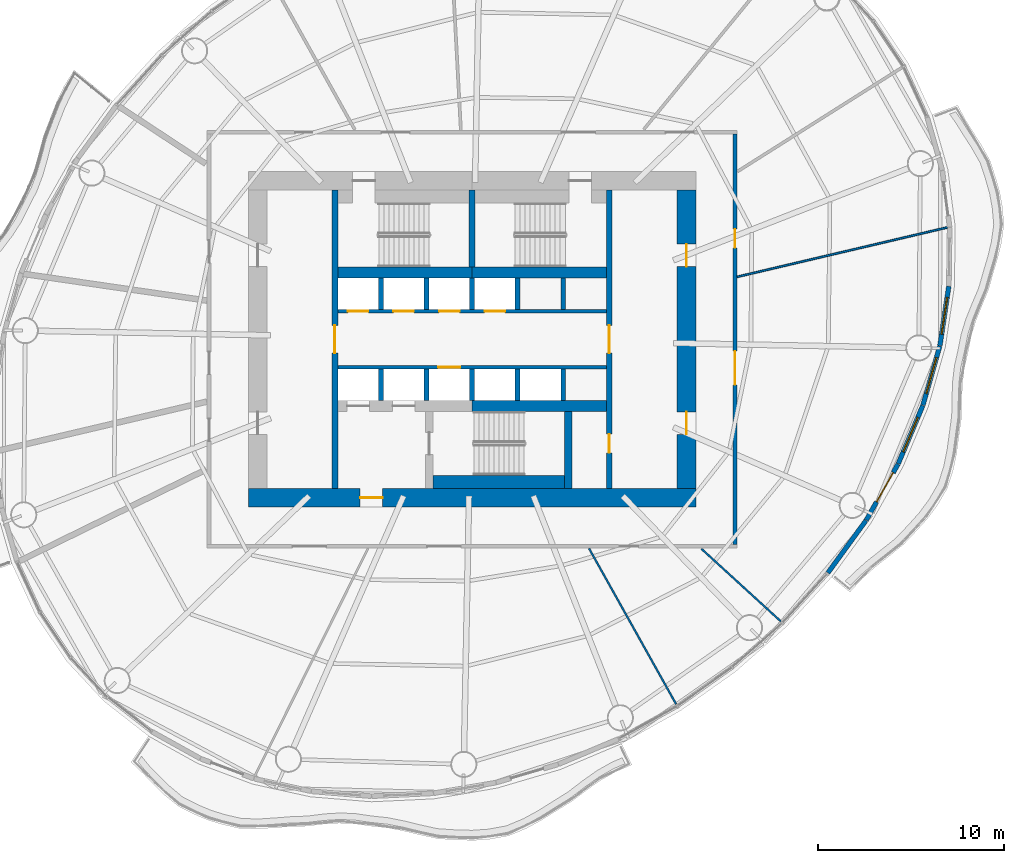
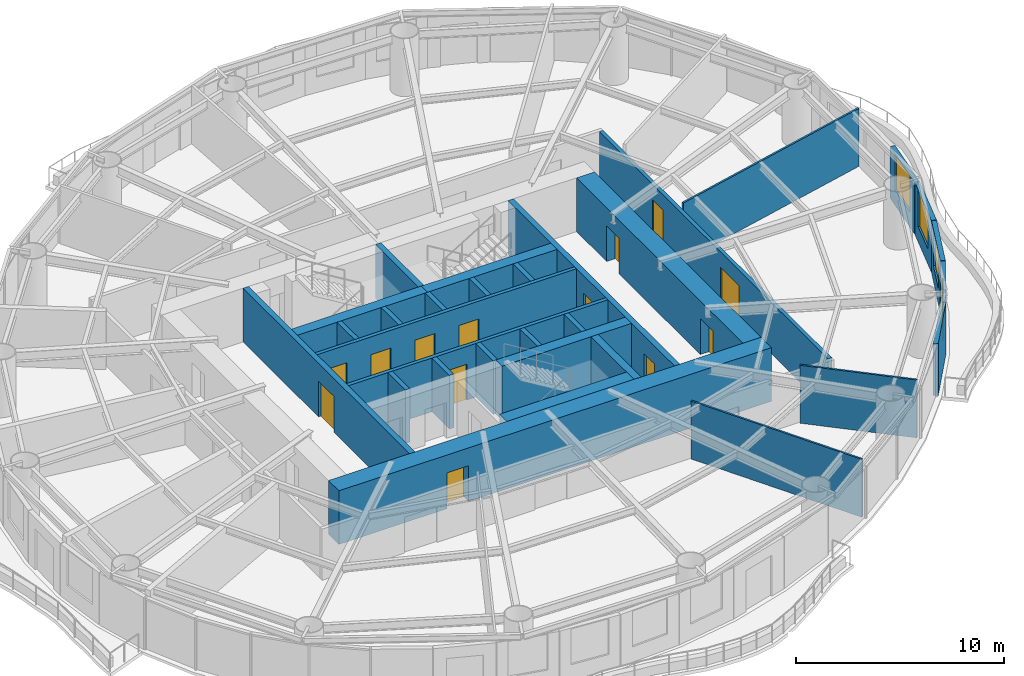
# One storey, part 9 of 14: 31 walls, 14 doors, 3 windows, 17 openings.
"""IFC4 building model written with IfcOpenShell, lengths in metres."""

from ifc_helpers import new_model, si_unit, direction, frame, frame_2d, origin, place, context, subcontext, project, spatial, rectangle, extrude, material, layer, layer_set, type_object, element, fill, save


model = new_model("IFC4")

# Units and contexts
model_context = context("Model", 3, precision=1e-05, world=origin(), true_north=direction((0.0, 1.0)))
body_context = subcontext(model_context, "Body", "Model", "MODEL_VIEW")
ifc_project = project(units=[si_unit("LENGTHUNIT", "METRE"), si_unit("AREAUNIT", "SQUARE_METRE"), si_unit("VOLUMEUNIT", "CUBIC_METRE"), si_unit("PLANEANGLEUNIT", "RADIAN"), si_unit("MASSUNIT", "GRAM", prefix="KILO")], contexts=[model_context])

# Site, building, storey
site_placement = place(None, origin())
site = spatial("IfcSite", under=ifc_project, at=site_placement, CompositionType="ELEMENT")
building_placement = place(site_placement, origin())
building = spatial("IfcBuilding", under=site, at=building_placement, Name="Vermilion Reach Broadcast Tower", CompositionType="ELEMENT")
storey_placement = place(building_placement, frame((0.0, 0.0, 186.60009765625)))
storey = spatial("IfcBuildingStorey", under=building, at=storey_placement, Name="L45", CompositionType="ELEMENT", Elevation=186.60009765625)

# Wall, opening, door
ifc_material_1 = material(Name="Concrete C70", Category="concrete")
ifc_layer_1 = layer(ifc_material_1, 0.300048828125)
ifc_layer_set_1 = layer_set([ifc_layer_1], Name="Core inner wall 300 mm Concrete C70")
wall_type_1 = type_object("IfcWallType", Name="Core inner wall 300 mm Concrete C70", PredefinedType="SHEAR", material=ifc_layer_set_1)
wall_1_placement = place(storey_placement, frame((-13.35009765625, 8.0, 0.0), z_axis=(0.0, 0.0, 1.0), x_axis=(0.0, -1.0, 0.0)))
wall_1 = element("IfcWall", 1, at=wall_1_placement, inside=storey, type_object=wall_type_1, Name="L45 core wall ewW", PredefinedType="SHEAR", context=body_context, shape_type="SweptSolid", body=[
    extrude(rectangle(XDim=16.0, YDim=0.300048828125, at=frame_2d((8.0, 0.0))), origin(), (0.0, 0.0, 1.0), 3.14990234375),
])
opening_1_placement = place(wall_1_placement, frame((7.25, 0.0, 0.0)))
opening_1 = element("IfcOpeningElement", 2, at=opening_1_placement, cuts=wall_1, Name="Opening D04", PredefinedType="OPENING", context=body_context, shape_type="SweptSolid", body=[
    extrude(rectangle(XDim=1.5, YDim=2.10009765625, at=frame_2d((0.75, 1.050048828125))), frame((0.0, 0.159912109375, 0.0), z_axis=(0.0, -1.0, 0.0), x_axis=(1.0, 0.0, 0.0)), (0.0, 0.0, 1.0), 0.320068359375),
])
ifc_material_2 = material(Name="Painted steel fire door", Category="steel")
door_type_1 = type_object("IfcDoorType", Name="Lift lobby door 1500 x 2100", OperationType="DOUBLE_DOOR_SINGLE_SWING", PredefinedType="NOTDEFINED", material=ifc_material_2)
door_1_placement = place(opening_1_placement, origin())
door_1 = element("IfcDoor", 3, at=door_1_placement, inside=storey, type_object=door_type_1, Name="L45 band door BW", OperationType="DOUBLE_DOOR_SINGLE_SWING", OverallHeight=2.10009765625, OverallWidth=1.5, PredefinedType="NOTDEFINED", context=body_context, shape_type="SweptSolid", body=[
    extrude(rectangle(XDim=1.5, YDim=2.10009765625, at=frame_2d((0.75, 1.050048828125))), frame((0.0, 0.02490234375, 0.0), z_axis=(0.0, -1.0, 0.0), x_axis=(1.0, 0.0, 0.0)), (0.0, 0.0, 1.0), 0.050048828125),
])
fill(opening_1, door_1)

# Wall, openings, doors
wall_2_placement = place(storey_placement, frame((1.35009765625, -8.0, 0.0), z_axis=(0.0, 0.0, 1.0), x_axis=(0.0, 1.0, 0.0)))
wall_2 = element("IfcWall", 4, at=wall_2_placement, inside=storey, type_object=wall_type_1, Name="L45 core wall ewE", PredefinedType="SHEAR", context=body_context, shape_type="SweptSolid", body=[
    extrude(rectangle(XDim=16.0, YDim=0.300048828125, at=frame_2d((8.0, 0.0))), origin(), (0.0, 0.0, 1.0), 3.14990234375),
])
opening_2_placement = place(wall_2_placement, frame((1.909912109375, 0.0, 0.0)))
opening_2 = element("IfcOpeningElement", 5, at=opening_2_placement, cuts=wall_2, Name="Opening D05", PredefinedType="OPENING", context=body_context, shape_type="SweptSolid", body=[
    extrude(rectangle(XDim=1.0, YDim=2.10009765625, at=frame_2d((0.5, 1.050048828125))), frame((0.0, 0.159912109375, 0.0), z_axis=(0.0, -1.0, 0.0), x_axis=(1.0, 0.0, 0.0)), (0.0, 0.0, 1.0), 0.320068359375),
])
opening_3_placement = place(wall_2_placement, frame((7.25, 0.0, 0.0)))
opening_3 = element("IfcOpeningElement", 6, at=opening_3_placement, cuts=wall_2, Name="Opening D04", PredefinedType="OPENING", context=body_context, shape_type="SweptSolid", body=[
    extrude(rectangle(XDim=1.5, YDim=2.10009765625, at=frame_2d((0.75, 1.050048828125))), frame((0.0, 0.159912109375, 0.0), z_axis=(0.0, -1.0, 0.0), x_axis=(1.0, 0.0, 0.0)), (0.0, 0.0, 1.0), 0.320068359375),
])
door_2_placement = place(opening_3_placement, origin())
door_2 = element("IfcDoor", 7, at=door_2_placement, inside=storey, type_object=door_type_1, Name="L45 band door BE", OperationType="DOUBLE_DOOR_SINGLE_SWING", OverallHeight=2.10009765625, OverallWidth=1.5, PredefinedType="NOTDEFINED", context=body_context, shape_type="SweptSolid", body=[
    extrude(rectangle(XDim=1.5, YDim=2.10009765625, at=frame_2d((0.75, 1.050048828125))), frame((0.0, 0.02490234375, 0.0), z_axis=(0.0, -1.0, 0.0), x_axis=(1.0, 0.0, 0.0)), (0.0, 0.0, 1.0), 0.050048828125),
])
fill(opening_3, door_2)
ifc_material_3 = material(Name="Timber door", Category="wood")
door_type_2 = type_object("IfcDoorType", Name="Room door 1000 x 2100", OperationType="NOTDEFINED", PredefinedType="NOTDEFINED", material=ifc_material_3)
door_3_placement = place(opening_2_placement, origin())
door_3 = element("IfcDoor", 8, at=door_3_placement, inside=storey, type_object=door_type_2, Name="L45 door SER", OperationType="SINGLE_SWING_LEFT", OverallHeight=2.10009765625, OverallWidth=1.0, PredefinedType="NOTDEFINED", context=body_context, shape_type="SweptSolid", body=[
    extrude(rectangle(XDim=1.0, YDim=2.10009765625, at=frame_2d((0.5, 1.050048828125))), frame((0.0, 0.02490234375, 0.0), z_axis=(0.0, -1.0, 0.0), x_axis=(1.0, 0.0, 0.0)), (0.0, 0.0, 1.0), 0.050048828125),
])
fill(opening_2, door_3)

# Walls
wall_3_placement = place(storey_placement, frame((-6.0, 3.8798828125, 0.0), z_axis=(0.0, 0.0, 1.0), x_axis=(0.0, 1.0, 0.0)))
element("IfcWall", 9, at=wall_3_placement, inside=storey, type_object=wall_type_1, Name="L45 core wall wc", PredefinedType="SHEAR", context=body_context, shape_type="SweptSolid", body=[
    extrude(rectangle(XDim=4.1201171875, YDim=0.300048828125, at=frame_2d((2.06005859375, 0.0))), origin(), (0.0, 0.0, 1.0), 3.14990234375),
])
ifc_material_4 = material(Name="Concrete C70", Category="concrete")
ifc_layer_2 = layer(ifc_material_4, 0.39990234375)
ifc_layer_set_2 = layer_set([ifc_layer_2], Name="Core inner wall 400 mm Concrete C70")
wall_type_2 = type_object("IfcWallType", Name="Core inner wall 400 mm Concrete C70", PredefinedType="SHEAR", material=ifc_layer_set_2)
wall_4_placement = place(storey_placement, frame((-0.85009765625, -3.8798828125, 0.0), z_axis=(0.0, 0.0, 1.0), x_axis=(0.0, -1.0, 0.0)))
element("IfcWall", 10, at=wall_4_placement, inside=storey, type_object=wall_type_2, Name="L45 core wall wb", PredefinedType="SHEAR", context=body_context, shape_type="SweptSolid", body=[
    extrude(rectangle(XDim=4.1201171875, YDim=0.39990234375, at=frame_2d((2.06005859375, 0.0))), origin(), (0.0, 0.0, 1.0), 3.14990234375),
])
ifc_material_5 = material(Name="Concrete C70", Category="concrete")
ifc_layer_3 = layer(ifc_material_5, 0.60009765625)
ifc_layer_set_3 = layer_set([ifc_layer_3], Name="Core inner wall 600 mm Concrete C70")
wall_type_3 = type_object("IfcWallType", Name="Core inner wall 600 mm Concrete C70", PredefinedType="SHEAR", material=ifc_layer_set_3)
for number, where, z_axis, x_axis, name in (
    (11, (-13.199951171875, 3.580078125, 0.0), (0.0, 0.0, 1.0), (1.0, 0.0, 0.0), "L45 core wall winW"),
    (12, (-6.0, 3.580078125, 0.0), (0.0, 0.0, 1.0), (1.0, 0.0, 0.0), "L45 core wall winE"),
    (13, (-6.0, -3.580078125, 0.0), (0.0, 0.0, 1.0), (1.0, 0.0, 0.0), "L45 core wall wisE"),
):
    element("IfcWall", number, at=place(storey_placement, frame(where, z_axis=z_axis, x_axis=x_axis)), inside=storey, type_object=wall_type_3, Name=name, PredefinedType="SHEAR", context=body_context, shape_type="SweptSolid", body=[
        extrude(rectangle(XDim=7.199951171875, YDim=0.60009765625, at=frame_2d((3.60009765625, 0.0))), origin(), (0.0, 0.0, 1.0), 3.14990234375),
    ])

# Wall, opening, door
ifc_material_6 = material(Name="Concrete C70", Category="concrete")
ifc_layer_4 = layer(ifc_material_6, 1.0)
ifc_layer_set_4 = layer_set([ifc_layer_4], Name="Core outer wall 1000 mm Concrete C70")
wall_type_4 = type_object("IfcWallType", Name="Core outer wall 1000 mm Concrete C70", PredefinedType="SHEAR", material=ifc_layer_set_4)
wall_5_placement = place(storey_placement, frame((-18.0, -8.5, 0.0), z_axis=(0.0, 0.0, 1.0), x_axis=(1.0, 0.0, 0.0)))
wall_5 = element("IfcWall", 14, at=wall_5_placement, inside=storey, type_object=wall_type_4, Name="L45 core wall os", PredefinedType="SHEAR", context=body_context, shape_type="SweptSolid", body=[
    extrude(rectangle(XDim=24.0, YDim=1.0, at=frame_2d((12.0, 0.0))), origin(), (0.0, 0.0, 1.0), 3.14990234375),
])
opening_4_placement = place(wall_5_placement, frame((6.0, 0.0, 0.0)))
opening_4 = element("IfcOpeningElement", 15, at=opening_4_placement, cuts=wall_5, Name="Opening D02", PredefinedType="OPENING", context=body_context, shape_type="SweptSolid", body=[
    extrude(rectangle(XDim=1.199951171875, YDim=2.10009765625, at=frame_2d((0.60009765625, 1.050048828125))), frame((0.0, 0.510009765625, 0.0), z_axis=(0.0, -1.0, 0.0), x_axis=(1.0, 0.0, 0.0)), (0.0, 0.0, 1.0), 1.02001953125),
])
ifc_material_7 = material(Name="Painted steel fire door", Category="steel")
door_type_3 = type_object("IfcDoorType", Name="Firefighting lobby door 1200 x 2100", OperationType="DOUBLE_DOOR_SINGLE_SWING", PredefinedType="NOTDEFINED", material=ifc_material_7)
door_4_placement = place(opening_4_placement, origin())
door_4 = element("IfcDoor", 16, at=door_4_placement, inside=storey, type_object=door_type_3, Name="L45 ffdoor door FFL", OperationType="DOUBLE_DOOR_SINGLE_SWING", OverallHeight=2.10009765625, OverallWidth=1.199951171875, PredefinedType="NOTDEFINED", context=body_context, shape_type="SweptSolid", body=[
    extrude(rectangle(XDim=1.199951171875, YDim=2.10009765625, at=frame_2d((0.60009765625, 1.050048828125))), frame((0.0, 0.02490234375, 0.0), z_axis=(0.0, -1.0, 0.0), x_axis=(1.0, 0.0, 0.0)), (0.0, 0.0, 1.0), 0.050048828125),
])
fill(opening_4, door_4)

# Wall, openings, doors
wall_6_placement = place(storey_placement, frame((5.5, -8.0, 0.0), z_axis=(0.0, 0.0, 1.0), x_axis=(0.0, 1.0, 0.0)))
wall_6 = element("IfcWall", 17, at=wall_6_placement, inside=storey, type_object=wall_type_4, Name="L45 core wall oe", PredefinedType="SHEAR", context=body_context, shape_type="SweptSolid", body=[
    extrude(rectangle(XDim=16.0, YDim=1.0, at=frame_2d((8.0, 0.0))), origin(), (0.0, 0.0, 1.0), 3.14990234375),
])
opening_5_placement = place(wall_6_placement, frame((2.89990234375, 0.0, 0.0)))
opening_5 = element("IfcOpeningElement", 18, at=opening_5_placement, cuts=wall_6, Name="Opening D03", PredefinedType="OPENING", context=body_context, shape_type="SweptSolid", body=[
    extrude(rectangle(XDim=1.199951171875, YDim=2.10009765625, at=frame_2d((0.60009765625, 1.050048828125))), frame((0.0, 0.510009765625, 0.0), z_axis=(0.0, -1.0, 0.0), x_axis=(1.0, 0.0, 0.0)), (0.0, 0.0, 1.0), 1.02001953125),
])
opening_6_placement = place(wall_6_placement, frame((11.89990234375, 0.0, 0.0)))
opening_6 = element("IfcOpeningElement", 19, at=opening_6_placement, cuts=wall_6, Name="Opening D03", PredefinedType="OPENING", context=body_context, shape_type="SweptSolid", body=[
    extrude(rectangle(XDim=1.199951171875, YDim=2.10009765625, at=frame_2d((0.60009765625, 1.050048828125))), frame((0.0, 0.510009765625, 0.0), z_axis=(0.0, -1.0, 0.0), x_axis=(1.0, 0.0, 0.0)), (0.0, 0.0, 1.0), 1.02001953125),
])
ifc_material_8 = material(Name="Painted steel fire door", Category="steel")
door_type_4 = type_object("IfcDoorType", Name="Core lobby door 1200 x 2100", OperationType="DOUBLE_DOOR_SINGLE_SWING", PredefinedType="NOTDEFINED", material=ifc_material_8)
door_5_placement = place(opening_5_placement, origin())
door_5 = element("IfcDoor", 20, at=door_5_placement, inside=storey, type_object=door_type_4, Name="L45 slot door E0", OperationType="DOUBLE_DOOR_SINGLE_SWING", OverallHeight=2.10009765625, OverallWidth=1.199951171875, PredefinedType="NOTDEFINED", context=body_context, shape_type="SweptSolid", body=[
    extrude(rectangle(XDim=1.199951171875, YDim=2.10009765625, at=frame_2d((0.60009765625, 1.050048828125))), frame((0.0, 0.02490234375, 0.0), z_axis=(0.0, -1.0, 0.0), x_axis=(1.0, 0.0, 0.0)), (0.0, 0.0, 1.0), 0.050048828125),
])
fill(opening_5, door_5)
door_6_placement = place(opening_6_placement, origin())
door_6 = element("IfcDoor", 21, at=door_6_placement, inside=storey, type_object=door_type_4, Name="L45 slot door E1", OperationType="DOUBLE_DOOR_SINGLE_SWING", OverallHeight=2.10009765625, OverallWidth=1.199951171875, PredefinedType="NOTDEFINED", context=body_context, shape_type="SweptSolid", body=[
    extrude(rectangle(XDim=1.199951171875, YDim=2.10009765625, at=frame_2d((0.60009765625, 1.050048828125))), frame((0.0, 0.02490234375, 0.0), z_axis=(0.0, -1.0, 0.0), x_axis=(1.0, 0.0, 0.0)), (0.0, 0.0, 1.0), 0.050048828125),
])
fill(opening_6, door_6)

ifc_material_9 = material(Name="Concrete C50", Category="concrete")
ifc_layer_5 = layer(ifc_material_9, 0.199951171875)
ifc_layer_set_5 = layer_set([ifc_layer_5], Name="Core shaft wall 200 mm Concrete C50")
wall_type_5 = type_object("IfcWallType", Name="Core shaft wall 200 mm Concrete C50", PredefinedType="SHEAR", material=ifc_layer_set_5)
wall_7_placement = place(storey_placement, frame((-13.199951171875, 1.5, 0.0), z_axis=(0.0, 0.0, 1.0), x_axis=(1.0, 0.0, 0.0)))
wall_7 = element("IfcWall", 22, at=wall_7_placement, inside=storey, type_object=wall_type_5, Name="L45 core wall fn", PredefinedType="SHEAR", context=body_context, shape_type="SweptSolid", body=[
    extrude(rectangle(XDim=14.39990234375, YDim=0.199951171875, at=frame_2d((7.199951171875, 0.0))), origin(), (0.0, 0.0, 1.0), 3.14990234375),
])
opening_7_placement = place(wall_7_placement, frame((0.5458984375, 0.0, 0.0)))
opening_7 = element("IfcOpeningElement", 23, at=opening_7_placement, cuts=wall_7, Name="Opening LD2", PredefinedType="OPENING", context=body_context, shape_type="SweptSolid", body=[
    extrude(rectangle(XDim=1.10009765625, YDim=2.10009765625, at=frame_2d((0.550048828125, 1.050048828125))), frame((0.0, 0.10986328125, 0.0), z_axis=(0.0, -1.0, 0.0), x_axis=(1.0, 0.0, 0.0)), (0.0, 0.0, 1.0), 0.219970703125),
])
opening_8_placement = place(wall_7_placement, frame((2.987548828125, 0.0, 0.0)))
opening_8 = element("IfcOpeningElement", 24, at=opening_8_placement, cuts=wall_7, Name="Opening LD2", PredefinedType="OPENING", context=body_context, shape_type="SweptSolid", body=[
    extrude(rectangle(XDim=1.10009765625, YDim=2.10009765625, at=frame_2d((0.550048828125, 1.050048828125))), frame((0.0, 0.10986328125, 0.0), z_axis=(0.0, -1.0, 0.0), x_axis=(1.0, 0.0, 0.0)), (0.0, 0.0, 1.0), 0.219970703125),
])
opening_9_placement = place(wall_7_placement, frame((5.42919921875, 0.0, 0.0)))
opening_9 = element("IfcOpeningElement", 25, at=opening_9_placement, cuts=wall_7, Name="Opening LD2", PredefinedType="OPENING", context=body_context, shape_type="SweptSolid", body=[
    extrude(rectangle(XDim=1.10009765625, YDim=2.10009765625, at=frame_2d((0.550048828125, 1.050048828125))), frame((0.0, 0.10986328125, 0.0), z_axis=(0.0, -1.0, 0.0), x_axis=(1.0, 0.0, 0.0)), (0.0, 0.0, 1.0), 0.219970703125),
])
opening_10_placement = place(wall_7_placement, frame((7.870849609375, 0.0, 0.0)))
opening_10 = element("IfcOpeningElement", 26, at=opening_10_placement, cuts=wall_7, Name="Opening LD2", PredefinedType="OPENING", context=body_context, shape_type="SweptSolid", body=[
    extrude(rectangle(XDim=1.10009765625, YDim=2.10009765625, at=frame_2d((0.550048828125, 1.050048828125))), frame((0.0, 0.10986328125, 0.0), z_axis=(0.0, -1.0, 0.0), x_axis=(1.0, 0.0, 0.0)), (0.0, 0.0, 1.0), 0.219970703125),
])
ifc_material_10 = material(Name="Stainless steel", Category="steel")
door_type_5 = type_object("IfcDoorType", Name="Landing door 1100 x 2100", OperationType="DOUBLE_DOOR_SLIDING", PredefinedType="NOTDEFINED", material=ifc_material_10)
door_7_placement = place(opening_7_placement, origin())
door_7 = element("IfcDoor", 27, at=door_7_placement, inside=storey, type_object=door_type_5, Name="L45 landing door LR1", OperationType="DOUBLE_DOOR_SLIDING", OverallHeight=2.10009765625, OverallWidth=1.10009765625, PredefinedType="NOTDEFINED", context=body_context, shape_type="SweptSolid", body=[
    extrude(rectangle(XDim=1.10009765625, YDim=2.10009765625, at=frame_2d((0.550048828125, 1.050048828125))), frame((0.0, 0.02490234375, 0.0), z_axis=(0.0, -1.0, 0.0), x_axis=(1.0, 0.0, 0.0)), (0.0, 0.0, 1.0), 0.050048828125),
])
fill(opening_7, door_7)
door_8_placement = place(opening_8_placement, origin())
door_8 = element("IfcDoor", 28, at=door_8_placement, inside=storey, type_object=door_type_5, Name="L45 landing door LR2", OperationType="DOUBLE_DOOR_SLIDING", OverallHeight=2.10009765625, OverallWidth=1.10009765625, PredefinedType="NOTDEFINED", context=body_context, shape_type="SweptSolid", body=[
    extrude(rectangle(XDim=1.10009765625, YDim=2.10009765625, at=frame_2d((0.550048828125, 1.050048828125))), frame((0.0, 0.02490234375, 0.0), z_axis=(0.0, -1.0, 0.0), x_axis=(1.0, 0.0, 0.0)), (0.0, 0.0, 1.0), 0.050048828125),
])
fill(opening_8, door_8)
door_9_placement = place(opening_9_placement, origin())
door_9 = element("IfcDoor", 29, at=door_9_placement, inside=storey, type_object=door_type_5, Name="L45 landing door LR3", OperationType="DOUBLE_DOOR_SLIDING", OverallHeight=2.10009765625, OverallWidth=1.10009765625, PredefinedType="NOTDEFINED", context=body_context, shape_type="SweptSolid", body=[
    extrude(rectangle(XDim=1.10009765625, YDim=2.10009765625, at=frame_2d((0.550048828125, 1.050048828125))), frame((0.0, 0.02490234375, 0.0), z_axis=(0.0, -1.0, 0.0), x_axis=(1.0, 0.0, 0.0)), (0.0, 0.0, 1.0), 0.050048828125),
])
fill(opening_9, door_9)
door_10_placement = place(opening_10_placement, origin())
door_10 = element("IfcDoor", 30, at=door_10_placement, inside=storey, type_object=door_type_5, Name="L45 landing door LR4", OperationType="DOUBLE_DOOR_SLIDING", OverallHeight=2.10009765625, OverallWidth=1.10009765625, PredefinedType="NOTDEFINED", context=body_context, shape_type="SweptSolid", body=[
    extrude(rectangle(XDim=1.10009765625, YDim=2.10009765625, at=frame_2d((0.550048828125, 1.050048828125))), frame((0.0, 0.02490234375, 0.0), z_axis=(0.0, -1.0, 0.0), x_axis=(1.0, 0.0, 0.0)), (0.0, 0.0, 1.0), 0.050048828125),
])
fill(opening_10, door_10)

# Wall, opening, door
wall_8_placement = place(storey_placement, frame((1.199951171875, -1.5, 0.0), z_axis=(0.0, 0.0, 1.0), x_axis=(-1.0, 0.0, 0.0)))
wall_8 = element("IfcWall", 31, at=wall_8_placement, inside=storey, type_object=wall_type_5, Name="L45 core wall fs", PredefinedType="SHEAR", context=body_context, shape_type="SweptSolid", body=[
    extrude(rectangle(XDim=14.39990234375, YDim=0.199951171875, at=frame_2d((7.199951171875, 0.0))), origin(), (0.0, 0.0, 1.0), 3.14990234375),
])
opening_11_placement = place(wall_8_placement, frame((7.82080078125, 0.0, 0.0)))
opening_11 = element("IfcOpeningElement", 32, at=opening_11_placement, cuts=wall_8, Name="Opening LD1", PredefinedType="OPENING", context=body_context, shape_type="SweptSolid", body=[
    extrude(rectangle(XDim=1.199951171875, YDim=2.10009765625, at=frame_2d((0.60009765625, 1.050048828125))), frame((0.0, 0.10986328125, 0.0), z_axis=(0.0, -1.0, 0.0), x_axis=(1.0, 0.0, 0.0)), (0.0, 0.0, 1.0), 0.219970703125),
])
ifc_material_11 = material(Name="Stainless steel", Category="steel")
door_type_6 = type_object("IfcDoorType", Name="Landing door 1200 x 2100", OperationType="DOUBLE_DOOR_SLIDING", PredefinedType="NOTDEFINED", material=ifc_material_11)
door_11_placement = place(opening_11_placement, origin())
door_11 = element("IfcDoor", 33, at=door_11_placement, inside=storey, type_object=door_type_6, Name="L45 landing door SV1", OperationType="DOUBLE_DOOR_SLIDING", OverallHeight=2.10009765625, OverallWidth=1.199951171875, PredefinedType="NOTDEFINED", context=body_context, shape_type="SweptSolid", body=[
    extrude(rectangle(XDim=1.199951171875, YDim=2.10009765625, at=frame_2d((0.60009765625, 1.050048828125))), frame((0.0, 0.02490234375, 0.0), z_axis=(0.0, -1.0, 0.0), x_axis=(1.0, 0.0, 0.0)), (0.0, 0.0, 1.0), 0.050048828125),
])
fill(opening_11, door_11)

# Walls
ifc_material_12 = material(Name="Concrete C50", Category="concrete")
ifc_layer_6 = layer(ifc_material_12, 0.25)
ifc_layer_set_6 = layer_set([ifc_layer_6], Name="Core shaft wall 250 mm Concrete C50")
wall_type_6 = type_object("IfcWallType", Name="Core shaft wall 250 mm Concrete C50", PredefinedType="SHEAR", material=ifc_layer_set_6)
for number, where, z_axis, x_axis, name in (
    (34, (-10.88330078125, 1.60009765625, 0.0), (0.0, 0.0, 1.0), (0.0, 1.0, 0.0), "L45 core wall psN0"),
    (35, (-8.441650390625, 1.60009765625, 0.0), (0.0, 0.0, 1.0), (0.0, 1.0, 0.0), "L45 core wall psN1"),
    (36, (-6.0, 1.60009765625, 0.0), (0.0, 0.0, 1.0), (0.0, 1.0, 0.0), "L45 core wall psN2"),
    (37, (-3.558349609375, 1.60009765625, 0.0), (0.0, 0.0, 1.0), (0.0, 1.0, 0.0), "L45 core wall psN3"),
    (38, (-1.11669921875, 1.60009765625, 0.0), (0.0, 0.0, 1.0), (0.0, 1.0, 0.0), "L45 core wall psN4"),
    (39, (-10.88330078125, -1.60009765625, 0.0), (0.0, 0.0, 1.0), (0.0, -1.0, 0.0), "L45 core wall psS0"),
    (40, (-8.441650390625, -1.60009765625, 0.0), (0.0, 0.0, 1.0), (0.0, -1.0, 0.0), "L45 core wall psS1"),
    (41, (-6.0, -1.60009765625, 0.0), (0.0, 0.0, 1.0), (0.0, -1.0, 0.0), "L45 core wall psS2"),
    (42, (-3.558349609375, -1.60009765625, 0.0), (0.0, 0.0, 1.0), (0.0, -1.0, 0.0), "L45 core wall psS3"),
    (43, (-1.11669921875, -1.60009765625, 0.0), (0.0, 0.0, 1.0), (0.0, -1.0, 0.0), "L45 core wall psS4"),
):
    element("IfcWall", number, at=place(storey_placement, frame(where, z_axis=z_axis, x_axis=x_axis)), inside=storey, type_object=wall_type_6, Name=name, PredefinedType="SHEAR", context=body_context, shape_type="SweptSolid", body=[
        extrude(rectangle(XDim=1.679931640625, YDim=0.25, at=frame_2d((0.83984375, 0.0))), origin(), (0.0, 0.0, 1.0), 3.14990234375),
    ])
ifc_material_13 = material(Name="Concrete C70", Category="concrete")
ifc_layer_7 = layer(ifc_material_13, 0.699951171875)
ifc_layer_set_7 = layer_set([ifc_layer_7], Name="Core stair wall 700 mm Concrete C70")
wall_type_7 = type_object("IfcWallType", Name="Core stair wall 700 mm Concrete C70", PredefinedType="SHEAR", material=ifc_layer_set_7)
wall_9_placement = place(storey_placement, frame((-8.10009765625, -7.64990234375, 0.0), z_axis=(0.0, 0.0, 1.0), x_axis=(1.0, 0.0, 0.0)))
element("IfcWall", 44, at=wall_9_placement, inside=storey, type_object=wall_type_7, Name="L45 core wall l3", PredefinedType="SHEAR", context=body_context, shape_type="SweptSolid", body=[
    extrude(rectangle(XDim=7.050048828125, YDim=0.699951171875, at=frame_2d((3.52490234375, 0.0))), origin(), (0.0, 0.0, 1.0), 3.14990234375),
])
ifc_material_14 = material(Name="Plasterboard on steel stud", Category="steel")
ifc_layer_8 = layer(ifc_material_14, 0.10009765625)
ifc_layer_set_8 = layer_set([ifc_layer_8], Name="Partition 100 steel stud")
wall_type_8 = type_object("IfcWallType", Name="Partition 100 steel stud", PredefinedType="PARTITIONING", material=ifc_layer_set_8)
wall_10_placement = place(storey_placement, frame((4.9453125, -19.571044921875, 0.0), z_axis=(0.0, 0.0, 1.0), x_axis=(-0.488111992878, 0.872781004839, 0.0)))
element("IfcWall", 45, at=wall_10_placement, inside=storey, type_object=wall_type_8, Name="Partition 45.09", PredefinedType="PARTITIONING", context=body_context, shape_type="SweptSolid", body=[
    extrude(rectangle(XDim=9.563232421875, YDim=0.10009765625, at=frame_2d((4.78173828125, 0.0))), origin(), (0.0, 0.0, 1.0), 3.39990234375),
])
wall_11_placement = place(storey_placement, frame((10.5546875, -15.125244140625, 0.0), z_axis=(0.0, 0.0, 1.0), x_axis=(-0.738257150839, 0.674519369058, 0.0)))
element("IfcWall", 46, at=wall_11_placement, inside=storey, type_object=wall_type_8, Name="Partition 45.10", PredefinedType="PARTITIONING", context=body_context, shape_type="SweptSolid", body=[
    extrude(rectangle(XDim=5.7646484375, YDim=0.10009765625, at=frame_2d((2.88232421875, 0.0))), origin(), (0.0, 0.0, 1.0), 3.39990234375),
])
wall_12_placement = place(storey_placement, frame((19.48779296875, 5.996826171875, 0.0), z_axis=(0.0, 0.0, 1.0), x_axis=(-0.973420761361, -0.229024062824, 0.0)))
element("IfcWall", 47, at=wall_12_placement, inside=storey, type_object=wall_type_8, Name="Partition 45.11", PredefinedType="PARTITIONING", context=body_context, shape_type="SweptSolid", body=[
    extrude(rectangle(XDim=11.584228515625, YDim=0.10009765625, at=frame_2d((5.7919921875, 0.0))), origin(), (0.0, 0.0, 1.0), 3.39990234375),
])
ifc_material_15 = material(Name="Terracotta rainscreen cladding", Category="masonry")
ifc_layer_9 = layer(ifc_material_15, 0.25)
ifc_layer_set_9 = layer_set([ifc_layer_9], Name="Terracotta rainscreen wall 250")
wall_type_9 = type_object("IfcWallType", Name="Terracotta rainscreen wall 250", PredefinedType="SOLIDWALL", material=ifc_layer_set_9)
wall_13_placement = place(storey_placement, frame((13.083984375, -12.526123046875, 0.0), z_axis=(0.0, 0.0, 1.0), x_axis=(0.588548101518, 0.808462202085, 0.0)))
element("IfcWall", 48, at=wall_13_placement, inside=storey, type_object=wall_type_9, Name="External wall L45 38", PredefinedType="SOLIDWALL", context=body_context, shape_type="SweptSolid", body=[
    extrude(rectangle(XDim=3.470458984375, YDim=0.25, at=frame_2d((1.7353515625, 0.0))), origin(), (0.0, 0.0, 1.0), 3.0498046875),
])

# Wall, opening, door
wall_14_placement = place(storey_placement, frame((15.138427734375, -9.701904296875, 0.0), z_axis=(0.0, 0.0, 1.0), x_axis=(0.493878356134, 0.869531005394, 0.0)))
wall_14 = element("IfcWall", 49, at=wall_14_placement, inside=storey, type_object=wall_type_9, Name="External wall L45 39", PredefinedType="SOLIDWALL", context=body_context, shape_type="SweptSolid", body=[
    extrude(rectangle(XDim=3.456787109375, YDim=0.25, at=frame_2d((1.728515625, 0.0))), origin(), (0.0, 0.0, 1.0), 3.0498046875),
])
opening_12_placement = place(wall_14_placement, frame((1.1279296875, 0.0, 0.0)))
opening_12 = element("IfcOpeningElement", 50, at=opening_12_placement, cuts=wall_14, Name="Opening D70", PredefinedType="OPENING", context=body_context, shape_type="SweptSolid", body=[
    extrude(rectangle(XDim=1.800048828125, YDim=2.39990234375, at=frame_2d((0.89990234375, 1.199951171875))), frame((0.0, 0.135009765625, 0.0), z_axis=(0.0, -1.0, 0.0), x_axis=(1.0, 0.0, 0.0)), (0.0, 0.0, 1.0), 0.27001953125),
])
ifc_material_16 = material(Name="Low-e laminated clear glass in aluminium frame", Category="aluminium")
door_type_7 = type_object("IfcDoorType", Name="Balcony sliding door 1800 x 2400", OperationType="DOUBLE_DOOR_SLIDING", PredefinedType="DOOR", material=ifc_material_16)
door_12_placement = place(opening_12_placement, origin())
door_12 = element("IfcDoor", 51, at=door_12_placement, inside=storey, type_object=door_type_7, Name="Balcony door L45 run 10", OperationType="DOUBLE_DOOR_SLIDING", OverallHeight=2.39990234375, OverallWidth=1.800048828125, PredefinedType="DOOR", context=body_context, shape_type="SweptSolid", body=[
    extrude(rectangle(XDim=1.800048828125, YDim=2.39990234375, at=frame_2d((0.89990234375, 1.199951171875))), frame((0.0, 0.02490234375, 0.0), z_axis=(0.0, -1.0, 0.0), x_axis=(1.0, 0.0, 0.0)), (0.0, 0.0, 1.0), 0.050048828125),
])
fill(opening_12, door_12)

# Wall, opening, window
wall_15_placement = place(storey_placement, frame((16.855712890625, -6.67578125, 0.0), z_axis=(0.0, 0.0, 1.0), x_axis=(0.389133942351, 0.921181184627, 0.0)))
wall_15 = element("IfcWall", 52, at=wall_15_placement, inside=storey, type_object=wall_type_9, Name="External wall L45 40", PredefinedType="SOLIDWALL", context=body_context, shape_type="SweptSolid", body=[
    extrude(rectangle(XDim=3.38427734375, YDim=0.25, at=frame_2d((1.692138671875, 0.0))), origin(), (0.0, 0.0, 1.0), 3.0498046875),
])
opening_13_placement = place(wall_15_placement, frame((0.692138671875, 0.0, 0.89990234375)))
opening_13 = element("IfcOpeningElement", 53, at=opening_13_placement, cuts=wall_15, Name="Opening W03", PredefinedType="OPENING", context=body_context, shape_type="SweptSolid", body=[
    extrude(rectangle(XDim=2.0, YDim=2.10009765625, at=frame_2d((1.0, 1.050048828125))), frame((0.0, 0.135009765625, 0.0), z_axis=(0.0, -1.0, 0.0), x_axis=(1.0, 0.0, 0.0)), (0.0, 0.0, 1.0), 0.27001953125),
])
ifc_material_17 = material(Name="Low-e laminated clear glass in aluminium frame", Category="aluminium")
window_type = type_object("IfcWindowType", Name="Punched window 2000 x 2100 sill 900", PartitioningType="SINGLE_PANEL", PredefinedType="WINDOW", material=ifc_material_17)
window_1_placement = place(opening_13_placement, origin())
window_1 = element("IfcWindow", 54, at=window_1_placement, inside=storey, type_object=window_type, Name="Window L45 40", OverallHeight=2.10009765625, OverallWidth=2.0, PartitioningType="SINGLE_PANEL", PredefinedType="WINDOW", context=body_context, shape_type="SweptSolid", body=[
    extrude(rectangle(XDim=2.0, YDim=2.10009765625, at=frame_2d((1.0, 1.050048828125))), frame((0.0, 0.030029296875, 0.0), z_axis=(0.0, -1.0, 0.0), x_axis=(1.0, 0.0, 0.0)), (0.0, 0.0, 1.0), 0.06005859375),
])
fill(opening_13, window_1)

wall_16_placement = place(storey_placement, frame((18.18017578125, -3.536376953125, 0.0), z_axis=(0.0, 0.0, 1.0), x_axis=(0.273969029479, 0.961738514819, 0.0)))
wall_16 = element("IfcWall", 55, at=wall_16_placement, inside=storey, type_object=wall_type_9, Name="External wall L45 41", PredefinedType="SOLIDWALL", context=body_context, shape_type="SweptSolid", body=[
    extrude(rectangle(XDim=3.301513671875, YDim=0.25, at=frame_2d((1.65087890625, 0.0))), origin(), (0.0, 0.0, 1.0), 3.0498046875),
])
opening_14_placement = place(wall_16_placement, frame((0.65087890625, 0.0, 0.89990234375)))
opening_14 = element("IfcOpeningElement", 56, at=opening_14_placement, cuts=wall_16, Name="Opening W03", PredefinedType="OPENING", context=body_context, shape_type="SweptSolid", body=[
    extrude(rectangle(XDim=2.0, YDim=2.10009765625, at=frame_2d((1.0, 1.050048828125))), frame((0.0, 0.135009765625, 0.0), z_axis=(0.0, -1.0, 0.0), x_axis=(1.0, 0.0, 0.0)), (0.0, 0.0, 1.0), 0.27001953125),
])
window_2_placement = place(opening_14_placement, origin())
window_2 = element("IfcWindow", 57, at=window_2_placement, inside=storey, type_object=window_type, Name="Window L45 41", OverallHeight=2.10009765625, OverallWidth=2.0, PartitioningType="SINGLE_PANEL", PredefinedType="WINDOW", context=body_context, shape_type="SweptSolid", body=[
    extrude(rectangle(XDim=2.0, YDim=2.10009765625, at=frame_2d((1.0, 1.050048828125))), frame((0.0, 0.030029296875, 0.0), z_axis=(0.0, -1.0, 0.0), x_axis=(1.0, 0.0, 0.0)), (0.0, 0.0, 1.0), 0.06005859375),
])
fill(opening_14, window_2)

wall_17_placement = place(storey_placement, frame((19.08984375, -0.337646484375, 0.0), z_axis=(0.0, 0.0, 1.0), x_axis=(0.148522482612, 0.988909031286, 0.0)))
wall_17 = element("IfcWall", 58, at=wall_17_placement, inside=storey, type_object=wall_type_9, Name="External wall L45 42", PredefinedType="SOLIDWALL", context=body_context, shape_type="SweptSolid", body=[
    extrude(rectangle(XDim=3.213623046875, YDim=0.25, at=frame_2d((1.60693359375, 0.0))), origin(), (0.0, 0.0, 1.0), 3.0498046875),
])
opening_15_placement = place(wall_17_placement, frame((0.606689453125, 0.0, 0.89990234375)))
opening_15 = element("IfcOpeningElement", 59, at=opening_15_placement, cuts=wall_17, Name="Opening W03", PredefinedType="OPENING", context=body_context, shape_type="SweptSolid", body=[
    extrude(rectangle(XDim=2.0, YDim=2.10009765625, at=frame_2d((1.0, 1.050048828125))), frame((0.0, 0.135009765625, 0.0), z_axis=(0.0, -1.0, 0.0), x_axis=(1.0, 0.0, 0.0)), (0.0, 0.0, 1.0), 0.27001953125),
])
window_3_placement = place(opening_15_placement, origin())
window_3 = element("IfcWindow", 60, at=window_3_placement, inside=storey, type_object=window_type, Name="Window L45 42", OverallHeight=2.10009765625, OverallWidth=2.0, PartitioningType="SINGLE_PANEL", PredefinedType="WINDOW", context=body_context, shape_type="SweptSolid", body=[
    extrude(rectangle(XDim=2.0, YDim=2.10009765625, at=frame_2d((1.0, 1.050048828125))), frame((0.0, 0.030029296875, 0.0), z_axis=(0.0, -1.0, 0.0), x_axis=(1.0, 0.0, 0.0)), (0.0, 0.0, 1.0), 0.06005859375),
])
fill(opening_15, window_3)

# Wall, openings, doors
ifc_material_18 = material(Name="Fire-rated gypsum board partition")
ifc_layer_10 = layer(ifc_material_18, 0.199951171875)
ifc_layer_set_10 = layer_set([ifc_layer_10], Name="Under girder: Corridor wall 200 fire-rated")
wall_type_10 = type_object("IfcWallType", Name="Under girder: Corridor wall 200 fire-rated", PredefinedType="PARTITIONING", material=ifc_layer_set_10)
wall_18_placement = place(storey_placement, frame((8.10009765625, 11.0, 0.0), z_axis=(0.0, 0.0, 1.0), x_axis=(0.0, -1.0, 0.0)))
wall_18 = element("IfcWall", 61, at=wall_18_placement, inside=storey, type_object=wall_type_10, Name="Corridor wall 45.E", PredefinedType="PARTITIONING", context=body_context, shape_type="SweptSolid", body=[
    extrude(rectangle(XDim=22.0, YDim=0.199951171875, at=frame_2d((11.0, 0.0))), origin(), (0.0, 0.0, 1.0), 3.0),
])
opening_16_placement = place(wall_18_placement, frame((11.641357421875, 0.0, 0.0)))
opening_16 = element("IfcOpeningElement", 62, at=opening_16_placement, cuts=wall_18, Name="Opening D21", PredefinedType="OPENING", context=body_context, shape_type="SweptSolid", body=[
    extrude(rectangle(XDim=1.800048828125, YDim=2.10009765625, at=frame_2d((0.89990234375, 1.050048828125))), frame((0.0, 0.10986328125, 0.0), z_axis=(0.0, -1.0, 0.0), x_axis=(1.0, 0.0, 0.0)), (0.0, 0.0, 1.0), 0.219970703125),
])
opening_17_placement = place(wall_18_placement, frame((5.099365234375, 0.0, 0.0)))
opening_17 = element("IfcOpeningElement", 63, at=opening_17_placement, cuts=wall_18, Name="Opening D20", PredefinedType="OPENING", context=body_context, shape_type="SweptSolid", body=[
    extrude(rectangle(XDim=1.0, YDim=2.10009765625, at=frame_2d((0.5, 1.050048828125))), frame((0.0, 0.10986328125, 0.0), z_axis=(0.0, -1.0, 0.0), x_axis=(1.0, 0.0, 0.0)), (0.0, 0.0, 1.0), 0.219970703125),
])
ifc_material_19 = material(Name="Timber door leaf", Category="wood")
door_type_8 = type_object("IfcDoorType", Name="Door pair 1800x2100", OperationType="NOTDEFINED", PredefinedType="DOOR", material=ifc_material_19)
door_13_placement = place(opening_16_placement, origin())
door_13 = element("IfcDoor", 64, at=door_13_placement, inside=storey, type_object=door_type_8, Name="Door 45.10", OperationType="DOUBLE_DOOR_SINGLE_SWING", OverallHeight=2.10009765625, OverallWidth=1.800048828125, PredefinedType="DOOR", context=body_context, shape_type="SweptSolid", body=[
    extrude(rectangle(XDim=1.800048828125, YDim=2.10009765625, at=frame_2d((0.89990234375, 1.050048828125))), frame((0.0, 0.02490234375, 0.0), z_axis=(0.0, -1.0, 0.0), x_axis=(1.0, 0.0, 0.0)), (0.0, 0.0, 1.0), 0.050048828125),
])
fill(opening_16, door_13)
ifc_material_20 = material(Name="Timber door leaf", Category="wood")
door_type_9 = type_object("IfcDoorType", Name="Door single 1000x2100", OperationType="NOTDEFINED", PredefinedType="DOOR", material=ifc_material_20)
door_14_placement = place(opening_17_placement, origin())
door_14 = element("IfcDoor", 65, at=door_14_placement, inside=storey, type_object=door_type_9, Name="Door 45.11", OperationType="SINGLE_SWING_RIGHT", OverallHeight=2.10009765625, OverallWidth=1.0, PredefinedType="DOOR", context=body_context, shape_type="SweptSolid", body=[
    extrude(rectangle(XDim=1.0, YDim=2.10009765625, at=frame_2d((0.5, 1.050048828125))), frame((0.0, 0.02490234375, 0.0), z_axis=(0.0, -1.0, 0.0), x_axis=(1.0, 0.0, 0.0)), (0.0, 0.0, 1.0), 0.050048828125),
])
fill(opening_17, door_14)

save(model, "model.ifc")
